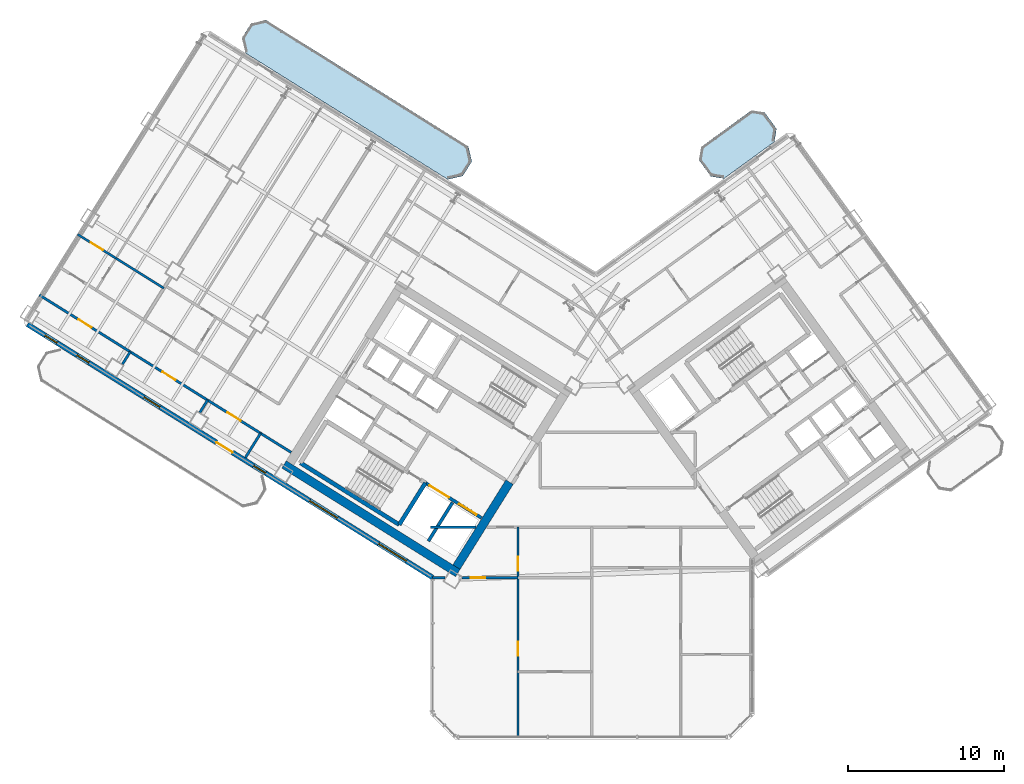
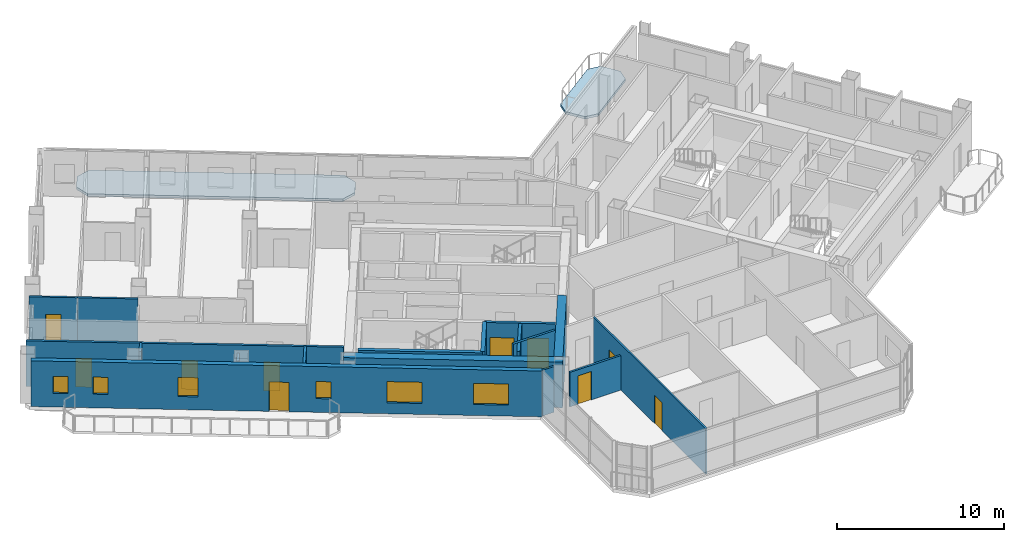
# One storey, part 11 of 21: 18 walls, 10 doors, 6 windows, 2 slabs, 16 openings.
"""IFC4 building model written with IfcOpenShell, lengths in metres."""

import ifcopenshell
import ifcopenshell.guid

model = None  # the IFC model being written
_history = None  # IfcOwnerHistory: only IFC2X3 demands one
_inside = {}  # id of a spatial element -> (the spatial element, [elements in it])
_under = {}  # id of a project, library or spatial element -> (it, [spatial elements below it])
_declared = {}  # id of a project -> (the project, [libraries it declares])
_typed = {}  # id of a type object -> (the type object, [elements of that type])
_made_of = {}  # id of a material, layer set ... -> (it, [elements and type objects made of it])


def new_model(schema):
    """Start an empty IFC model of exactly this schema.

    Asked for "IFC4X3", IfcOpenShell would pick the latest addendum, in which some entities
    have other attributes; the version numbers below select the first issue.
    IFC2X3 requires an IfcOwnerHistory on every rooted entity: one is made here for all.
    """
    global model, _history
    if schema == "IFC4X3":
        model = ifcopenshell.file(schema_version=(4, 3, 0, 0))
    else:
        model = ifcopenshell.file(schema=schema)
    _inside.clear()
    _under.clear()
    _declared.clear()
    _typed.clear()
    _made_of.clear()
    _history = None
    if model.schema == "IFC2X3":
        org = make("IfcOrganization", Name="unknown")
        user = make(
            "IfcPersonAndOrganization",
            ThePerson=make("IfcPerson", FamilyName="unknown"),
            TheOrganization=org,
        )
        app = make(
            "IfcApplication",
            ApplicationDeveloper=org,
            Version="unknown",
            ApplicationFullName="unknown",
            ApplicationIdentifier="unknown",
        )
        _history = make(
            "IfcOwnerHistory",
            OwningUser=user,
            OwningApplication=app,
            ChangeAction="ADDED",
            CreationDate=0,
        )
    return model


def make(cls, **values):
    """One entity of the class cls with the attributes given. An attribute that is None is left unset."""
    return model.create_entity(
        cls, **{name: value for name, value in values.items() if value is not None}
    )


def rooted(cls, **values):
    """An entity with a GlobalId (a new one), such as an element, a storey or a relation."""
    return make(cls, GlobalId=ifcopenshell.guid.new(), OwnerHistory=_history, **values)


def si_unit(unit_type, name, prefix=None):
    """IfcSIUnit, for example si_unit("LENGTHUNIT", "METRE", prefix="MILLI")."""
    return make("IfcSIUnit", UnitType=unit_type, Prefix=prefix, Name=name)


def assignment(units):
    """IfcUnitAssignment: the units of a project."""
    return None if units is None else make("IfcUnitAssignment", Units=units)


def point(xyz):
    """IfcCartesianPoint."""
    return None if xyz is None else make("IfcCartesianPoint", Coordinates=xyz)


def direction(xyz):
    """IfcDirection."""
    return None if xyz is None else make("IfcDirection", DirectionRatios=xyz)


def frame(location, z_axis=None, x_axis=None):
    """IfcAxis2Placement3D, a coordinate frame: its origin and axes. An axis left out is left unset."""
    return make(
        "IfcAxis2Placement3D",
        Location=point(location),
        Axis=direction(z_axis),
        RefDirection=direction(x_axis),
    )


def frame_2d(location, x_axis=None):
    """IfcAxis2Placement2D, a coordinate frame in the plane: its origin and x axis."""
    return make(
        "IfcAxis2Placement2D", Location=point(location), RefDirection=direction(x_axis)
    )


def origin():
    """The frame at (0, 0, 0) with its axes left unset."""
    return frame((0.0, 0.0, 0.0))


def place(relative_to, where):
    """IfcLocalPlacement: puts the frame where relative to a parent placement (None: the world)."""
    return make(
        "IfcLocalPlacement", PlacementRelTo=relative_to, RelativePlacement=where
    )


def context(
    kind, dimensions, precision=None, world=None, true_north=None, identifier=None
):
    """IfcGeometricRepresentationContext, for example the 3D "Model" context."""
    return make(
        "IfcGeometricRepresentationContext",
        ContextIdentifier=identifier,
        ContextType=kind,
        CoordinateSpaceDimension=dimensions,
        Precision=precision,
        WorldCoordinateSystem=world,
        TrueNorth=true_north,
    )


def subcontext(parent, identifier, kind, view, scale=None):
    """IfcGeometricRepresentationSubContext, for example "Body" below "Model"."""
    return make(
        "IfcGeometricRepresentationSubContext",
        ContextIdentifier=identifier,
        ContextType=kind,
        ParentContext=parent,
        TargetScale=scale,
        TargetView=view,
    )


def project(units=None, contexts=None):
    """IfcProject with its units and contexts."""
    return rooted(
        "IfcProject",
        Name="project",
        RepresentationContexts=contexts,
        UnitsInContext=assignment(units),
    )


def spatial(cls, under=None, at=None, **own):
    """A site, building, storey or space (cls), placed at a placement, below another one or the project."""
    s = rooted(cls, ObjectPlacement=at, **own)
    if under is not None:
        _under.setdefault(under.id(), (under, []))[1].append(s)
    return s


def polyline(points):
    """IfcPolyline through the points."""
    return make("IfcPolyline", Points=[point(p) for p in points])


def profile(cls, at=None, kind="AREA", **sizes):
    """A parametric profile (cls). Its sizes go by their IFC names, for example OverallWidth=200.0."""
    return make(cls, ProfileType=kind, Position=at, **sizes)


def rectangle(**sizes):
    """IfcRectangleProfileDef."""
    return profile("IfcRectangleProfileDef", **sizes)


def outline(outer, holes=None, kind="AREA"):
    """IfcArbitraryClosedProfileDef: a profile drawn as a closed curve; with holes, ...WithVoids."""
    if holes is None:
        return make("IfcArbitraryClosedProfileDef", ProfileType=kind, OuterCurve=outer)
    return make(
        "IfcArbitraryProfileDefWithVoids",
        ProfileType=kind,
        OuterCurve=outer,
        InnerCurves=holes,
    )


def extrude(swept, where, along, depth):
    """IfcExtrudedAreaSolid: the profile swept, set in the frame where, extruded along a direction by depth."""
    return make(
        "IfcExtrudedAreaSolid",
        SweptArea=swept,
        Position=where,
        ExtrudedDirection=direction(along),
        Depth=depth,
    )


def shape(context_of_items, identifier, shape_type, items):
    """IfcShapeRepresentation: the items that make up one representation, for example the "Body"."""
    return make(
        "IfcShapeRepresentation",
        ContextOfItems=context_of_items,
        RepresentationIdentifier=identifier,
        RepresentationType=shape_type,
        Items=items,
    )


def source(mapping_origin, context_of_items, identifier, shape_type, items):
    """IfcRepresentationMap: a shape defined once, which mapped items show again and again."""
    return make(
        "IfcRepresentationMap",
        MappingOrigin=mapping_origin,
        MappedRepresentation=shape(context_of_items, identifier, shape_type, items),
    )


def transform(
    local_origin,
    x_axis=None,
    y_axis=None,
    z_axis=None,
    scale=None,
    scale2=None,
    scale3=None,
    uniform=True,
):
    """IfcCartesianTransformationOperator3D, or its non-uniform kind. x_axis, y_axis, z_axis: its Axis1, 2, 3."""
    if uniform:
        return make(
            "IfcCartesianTransformationOperator3D",
            Axis1=direction(x_axis),
            Axis2=direction(y_axis),
            LocalOrigin=point(local_origin),
            Scale=scale,
            Axis3=direction(z_axis),
        )
    return make(
        "IfcCartesianTransformationOperator3DnonUniform",
        Axis1=direction(x_axis),
        Axis2=direction(y_axis),
        LocalOrigin=point(local_origin),
        Scale=scale,
        Axis3=direction(z_axis),
        Scale2=scale2,
        Scale3=scale3,
    )


def mapped(mapping_source, mapping_target):
    """IfcMappedItem: shows the shape of a source again, moved by a transform."""
    return make(
        "IfcMappedItem", MappingSource=mapping_source, MappingTarget=mapping_target
    )


def material(Name=None, Category=None):
    """IfcMaterial."""
    return make("IfcMaterial", Name=Name, Category=Category)


def layer(
    of_material, thickness, ventilated=None, Name=None, Category=None, Priority=None
):
    """IfcMaterialLayer: one layer of a wall or slab, of a material (None: an air gap)."""
    return make(
        "IfcMaterialLayer",
        Material=of_material,
        LayerThickness=thickness,
        IsVentilated=ventilated,
        Name=Name,
        Category=Category,
        Priority=Priority,
    )


def layer_set(layers, Name=None):
    """IfcMaterialLayerSet."""
    return make("IfcMaterialLayerSet", MaterialLayers=layers, LayerSetName=Name)


def made_of(thing, what):
    """Note that an element or type object is made of a material, layer set ...; save() writes the relation."""
    if what is not None:
        _made_of.setdefault(what.id(), (what, []))[1].append(thing)
    return thing


def type_object(cls, material=None, **own):
    """A type object (cls), such as IfcWallType, which elements share."""
    return made_of(rooted(cls, **own), material)


def element(
    cls,
    number,
    at=None,
    inside=None,
    cuts=None,
    type_object=None,
    material=None,
    context=None,
    identifier="Body",
    shape_type=None,
    held_by="IfcProductDefinitionShape",
    body=None,
    shapes=None,
    **own,
):
    """One element of the class cls, such as IfcWall. Its Tag is "e" and its number.

    at: its placement. inside: the storey or other place that contains it. cuts: it is an
    opening in that element (IfcRelVoidsElement). A single representation is given by context,
    identifier, shape_type and body (its items); several are given by shapes. held_by: the class
    of the entity that holds the representations. save() writes the other relations.
    """
    e = rooted(cls, Tag="e%d" % number, ObjectPlacement=at, **own)
    if body is not None:
        shapes = [shape(context, identifier, shape_type, body)]
    if shapes is not None:
        e.Representation = make(held_by, Representations=shapes)
    if inside is not None:
        _inside.setdefault(inside.id(), (inside, []))[1].append(e)
    if cuts is not None:
        rooted(
            "IfcRelVoidsElement", RelatingBuildingElement=cuts, RelatedOpeningElement=e
        )
    if type_object is not None:
        _typed.setdefault(type_object.id(), (type_object, []))[1].append(e)
    return made_of(e, material)


def fill(opening, filler):
    """IfcRelFillsElement: the door or window that sits in an opening."""
    return rooted(
        "IfcRelFillsElement",
        RelatingOpeningElement=opening,
        RelatedBuildingElement=filler,
    )


def aggregate(whole, parts):
    """IfcRelAggregates: a whole, such as a stair, and the parts it consists of."""
    return rooted("IfcRelAggregates", RelatingObject=whole, RelatedObjects=parts)


def save(model, path):
    """Write the relations noted so far, then the file.

    IfcRelAggregates (storeys below a building ...), IfcRelContainedInSpatialStructure (elements
    in a storey), IfcRelDefinesByType, IfcRelAssociatesMaterial and IfcRelDeclares: one each for
    every whole, place, type object, material and project.
    """
    for whole, parts in _under.values():
        aggregate(whole, parts)
    for where, things in _inside.values():
        rooted(
            "IfcRelContainedInSpatialStructure",
            RelatedElements=things,
            RelatingStructure=where,
        )
    for kind, things in _typed.values():
        rooted("IfcRelDefinesByType", RelatedObjects=things, RelatingType=kind)
    for what, things in _made_of.values():
        rooted("IfcRelAssociatesMaterial", RelatedObjects=things, RelatingMaterial=what)
    for by, libraries in _declared.values():
        rooted("IfcRelDeclares", RelatingContext=by, RelatedDefinitions=libraries)
    model.write(path)


model = new_model("IFC4")

# Units and contexts
model_context = context("Model", 3, precision=1e-05, world=origin(), true_north=direction((0.0, 1.0)))
body_context = subcontext(model_context, "Body", "Model", "MODEL_VIEW")
ifc_project = project(units=[si_unit("LENGTHUNIT", "METRE"), si_unit("AREAUNIT", "SQUARE_METRE"), si_unit("VOLUMEUNIT", "CUBIC_METRE"), si_unit("PLANEANGLEUNIT", "RADIAN"), si_unit("MASSUNIT", "GRAM", prefix="KILO")], contexts=[model_context])

# Site, building, storey
site_placement = place(None, origin())
site = spatial("IfcSite", under=ifc_project, at=site_placement, CompositionType="ELEMENT")
building_placement = place(site_placement, origin())
building = spatial("IfcBuilding", under=site, at=building_placement, Name="Tlacorven Tower", CompositionType="ELEMENT")
storey_placement = place(building_placement, frame((0.0, 0.0, 105.300048828125)))
storey = spatial("IfcBuildingStorey", under=building, at=storey_placement, Name="L26", CompositionType="ELEMENT", Elevation=105.300048828125)

# Slabs
ifc_material_1 = material(Name="Precast concrete C45/55", Category="concrete")
ifc_layer_1 = layer(ifc_material_1, 0.179931640625)
ifc_layer_set_1 = layer_set([ifc_layer_1], Name="Precast concrete C45/55")
slab_type = type_object("IfcSlabType", Name="SL-BAL-180", PredefinedType="USERDEFINED", material=ifc_layer_set_1)
slab_1_placement = place(storey_placement, frame((0.0, 0.0, -0.179931640625)))
element("IfcSlab", 1, at=slab_1_placement, inside=storey, type_object=slab_type, Name="L26 West Wing Balcony Ribbon IN", ObjectType="BALCONY SLAB", PredefinedType="USERDEFINED", context=body_context, shape_type="SweptSolid", body=[
    extrude(outline(polyline([(34.0419921875, 39.835693359375), (21.06689453125, 47.943359375), (20.102294921875, 47.720703125), (19.52197265625, 46.7919921875), (19.744873046875, 45.827392578125), (32.719970703125, 37.7197265625), (33.6845703125, 37.9423828125), (34.2646484375, 38.87109375), (34.0419921875, 39.835693359375)])), origin(), (0.0, 0.0, 1.0), 0.179931640625),
])
slab_2_placement = place(storey_placement, frame((0.0, 0.0, -0.179931640625)))
element("IfcSlab", 2, at=slab_2_placement, inside=storey, type_object=slab_type, Name="L26 East Wing Balcony Ribbon IN", ObjectType="BALCONY SLAB", PredefinedType="USERDEFINED", context=body_context, shape_type="SweptSolid", body=[
    extrude(outline(polyline([(50.433837890625, 37.77880859375), (53.669921875, 40.1298828125), (53.802490234375, 40.968017578125), (53.04150390625, 42.015625), (52.203369140625, 42.1484375), (48.96728515625, 39.79736328125), (48.83447265625, 38.959228515625), (49.595703125, 37.91162109375), (50.433837890625, 37.77880859375)])), origin(), (0.0, 0.0, 1.0), 0.179931640625),
])

# Walls
ifc_material_2 = material(Name="Concrete C60/75", Category="concrete")
ifc_layer_2 = layer(ifc_material_2, 0.550048828125)
ifc_layer_set_2 = layer_set([ifc_layer_2], Name="Concrete C60/75")
wall_type_1 = type_object("IfcWallType", Name="WL-COR-550", PredefinedType="SHEAR", material=ifc_layer_set_2)
wall_1_placement = place(storey_placement, frame((33.3662109375, 12.4765625, 0.0), z_axis=(0.0, 0.0, 1.0), x_axis=(-0.848047359947, 0.529920442413, 0.0)))
element("IfcWall", 3, at=wall_1_placement, inside=storey, type_object=wall_type_1, Name="L26 W core shear wall S2", PredefinedType="SHEAR", context=body_context, shape_type="SweptSolid", body=[
    extrude(rectangle(XDim=13.139892578125, YDim=0.550048828125, at=frame_2d((6.56982421875, 0.0))), origin(), (0.0, 0.0, 1.0), 3.349853515625),
])
wall_2_placement = place(storey_placement, frame((36.683349609375, 18.30419921875, 0.0), z_axis=(0.0, 0.0, 1.0), x_axis=(-0.529896466841, -0.848062341122, 0.0)))
element("IfcWall", 4, at=wall_2_placement, inside=storey, type_object=wall_type_1, Name="L26 W core end wall E1.2", PredefinedType="SHEAR", context=body_context, shape_type="SweptSolid", body=[
    extrude(rectangle(XDim=6.4248046875, YDim=0.550048828125, at=frame_2d((3.21240234375, 0.0))), origin(), (0.0, 0.0, 1.0), 3.349853515625),
])
ifc_material_3 = material(Name="Gypsum plasterboard acoustic partition", Category="gypsum")
ifc_layer_3 = layer(ifc_material_3, 0.159912109375)
ifc_layer_set_3 = layer_set([ifc_layer_3], Name="Gypsum plasterboard acoustic partition")
wall_type_2 = type_object("IfcWallType", Name="WL-DEM-160", PredefinedType="PARTITIONING", material=ifc_layer_set_3)
wall_3_placement = place(storey_placement, frame((22.677001953125, 20.217041015625, 0.0), z_axis=(0.0, 0.0, 1.0), x_axis=(-0.848057719594, 0.529903863203, 0.0)))
element("IfcWall", 5, at=wall_3_placement, inside=storey, type_object=wall_type_2, Name="L26 partition 51", PredefinedType="PARTITIONING", context=body_context, shape_type="SweptSolid", body=[
    extrude(rectangle(XDim=2.308349609375, YDim=0.159912109375, at=frame_2d((1.154296875, 0.0))), origin(), (0.0, 0.0, 1.0), 3.33984375),
])
wall_4_placement = place(storey_placement, frame((20.719482421875, 21.440185546875, 0.0), z_axis=(0.0, 0.0, 1.0), x_axis=(-0.529880305451, -0.848072439061, 0.0)))
element("IfcWall", 6, at=wall_4_placement, inside=storey, type_object=wall_type_2, Name="L26 partition 53", PredefinedType="PARTITIONING", context=body_context, shape_type="SweptSolid", body=[
    extrude(rectangle(XDim=1.849853515625, YDim=0.159912109375, at=frame_2d((0.9248046875, 0.0))), origin(), (0.0, 0.0, 1.0), 3.33984375),
])

# Wall, openings, doors
wall_5_placement = place(storey_placement, frame((20.719482421875, 21.440185546875, 0.0), z_axis=(0.0, 0.0, 1.0), x_axis=(-0.848048310262, 0.529918921593, 0.0)))
wall_5 = element("IfcWall", 7, at=wall_5_placement, inside=storey, type_object=wall_type_2, Name="L26 Wing W Corridor North Wall", PredefinedType="PARTITIONING", context=body_context, shape_type="SweptSolid", body=[
    extrude(rectangle(XDim=16.72998046875, YDim=0.159912109375, at=frame_2d((8.364990234375, 0.0))), origin(), (0.0, 0.0, 1.0), 3.33984375),
])
opening_1_placement = place(wall_5_placement, frame((1.5048828125, 0.0, 0.0)))
opening_1 = element("IfcOpeningElement", 8, at=opening_1_placement, cuts=wall_5, Name="Opening D11", PredefinedType="OPENING", context=body_context, shape_type="SweptSolid", body=[
    extrude(rectangle(XDim=1.0, YDim=2.10009765625, at=frame_2d((0.5, 1.050048828125))), frame((0.0, 0.08984375, 0.0), z_axis=(0.0, -1.0, 0.0), x_axis=(1.0, 0.0, 0.0)), (0.0, 0.0, 1.0), 0.179931640625),
])
opening_2_placement = place(wall_5_placement, frame((6.4345703125, 0.0, 0.0)))
opening_2 = element("IfcOpeningElement", 9, at=opening_2_placement, cuts=wall_5, Name="Opening D11", PredefinedType="OPENING", context=body_context, shape_type="SweptSolid", body=[
    extrude(rectangle(XDim=1.0, YDim=2.10009765625, at=frame_2d((0.5, 1.050048828125))), frame((0.0, 0.08984375, 0.0), z_axis=(0.0, -1.0, 0.0), x_axis=(1.0, 0.0, 0.0)), (0.0, 0.0, 1.0), 0.179931640625),
])
opening_3_placement = place(wall_5_placement, frame((12.784423828125, 0.0, 0.0)))
opening_3 = element("IfcOpeningElement", 10, at=opening_3_placement, cuts=wall_5, Name="Opening D11", PredefinedType="OPENING", context=body_context, shape_type="SweptSolid", body=[
    extrude(rectangle(XDim=1.0, YDim=2.10009765625, at=frame_2d((0.5, 1.050048828125))), frame((0.0, 0.08984375, 0.0), z_axis=(0.0, -1.0, 0.0), x_axis=(1.0, 0.0, 0.0)), (0.0, 0.0, 1.0), 0.179931640625),
])
ifc_material_4 = material(Name="Fire-rated steel door assembly", Category="steel")
door_type_1 = type_object("IfcDoorType", Name="DR-FLT-FD60-1000", OperationType="NOTDEFINED", PredefinedType="DOOR", material=ifc_material_4)
shared_shape_1 = source(origin(), body_context, "Body", "SweptSolid", [
    extrude(rectangle(XDim=1.0, YDim=2.10009765625, at=frame_2d((0.5, 1.050048828125))), frame((0.0, 0.02490234375, 0.0), z_axis=(0.0, -1.0, 0.0), x_axis=(1.0, 0.0, 0.0)), (0.0, 0.0, 1.0), 0.050048828125),
])
door_1_placement = place(opening_1_placement, origin())
door_1 = element("IfcDoor", 11, at=door_1_placement, inside=storey, type_object=door_type_1, Name="L26 door 024", OperationType="SINGLE_SWING_LEFT", OverallHeight=2.10009765625, OverallWidth=1.0, PredefinedType="DOOR", context=body_context, shape_type="MappedRepresentation", body=[
    mapped(shared_shape_1, transform((0.0, 0.0, 0.0), scale=1.0)),
])
fill(opening_1, door_1)
door_2_placement = place(opening_2_placement, origin())
door_2 = element("IfcDoor", 12, at=door_2_placement, inside=storey, type_object=door_type_1, Name="L26 door 025", OperationType="SINGLE_SWING_RIGHT", OverallHeight=2.10009765625, OverallWidth=1.0, PredefinedType="DOOR", context=body_context, shape_type="MappedRepresentation", body=[
    mapped(shared_shape_1, transform((0.0, 0.0, 0.0), scale=1.0)),
])
fill(opening_2, door_2)
door_3_placement = place(opening_3_placement, origin())
door_3 = element("IfcDoor", 13, at=door_3_placement, inside=storey, type_object=door_type_1, Name="L26 door 026", OperationType="SINGLE_SWING_LEFT", OverallHeight=2.10009765625, OverallWidth=1.0, PredefinedType="DOOR", context=body_context, shape_type="MappedRepresentation", body=[
    mapped(shared_shape_1, transform((0.0, 0.0, 0.0), scale=1.0)),
])
fill(opening_3, door_3)

# Walls
wall_6_placement = place(storey_placement, frame((17.31884765625, 23.565185546875, 0.0), z_axis=(0.0, 0.0, 1.0), x_axis=(-0.529952145338, -0.848027548876, 0.0)))
element("IfcWall", 14, at=wall_6_placement, inside=storey, type_object=wall_type_2, Name="L26 partition 56", PredefinedType="PARTITIONING", context=body_context, shape_type="SweptSolid", body=[
    extrude(rectangle(XDim=0.93798828125, YDim=0.159912109375, at=frame_2d((0.468994140625, 0.0))), origin(), (0.0, 0.0, 1.0), 2.77490234375),
])
wall_7_placement = place(storey_placement, frame((12.358642578125, 26.664794921875, 0.0), z_axis=(0.0, 0.0, 1.0), x_axis=(-0.529835187763, -0.848100627171, 0.0)))
element("IfcWall", 15, at=wall_7_placement, inside=storey, type_object=wall_type_2, Name="L26 partition 57", PredefinedType="PARTITIONING", context=body_context, shape_type="SweptSolid", body=[
    extrude(rectangle(XDim=0.938232421875, YDim=0.159912109375, at=frame_2d((0.46923828125, 0.0))), origin(), (0.0, 0.0, 1.0), 3.33984375),
])
wall_8_placement = place(storey_placement, frame((31.60009765625, 15.419921875, 0.0), z_axis=(0.0, 0.0, 1.0), x_axis=(1.0, 0.0, 0.0)))
element("IfcWall", 16, at=wall_8_placement, inside=storey, type_object=wall_type_2, Name="L26 Knuckle Corridor South Wall", PredefinedType="PARTITIONING", context=body_context, shape_type="SweptSolid", body=[
    extrude(rectangle(XDim=2.925048828125, YDim=0.159912109375, at=frame_2d((1.46240234375, 0.0))), origin(), (0.0, 0.0, 1.0), 3.33984375),
])

# Wall, openings, door, windows
ifc_layer_4 = layer(ifc_material_1, 0.320068359375)
ifc_layer_set_4 = layer_set([ifc_layer_4], Name="Precast concrete C45/55")
wall_type_3 = type_object("IfcWallType", Name="WL-EXT-320", PredefinedType="STANDARD", material=ifc_layer_set_4)
wall_9_placement = place(storey_placement, frame((31.760009765625, 12.18310546875, 0.0), z_axis=(0.0, 0.0, 1.0), x_axis=(-0.848047074256, 0.529920899612, 0.0)))
wall_9 = element("IfcWall", 17, at=wall_9_placement, inside=storey, type_object=wall_type_3, Name="L26 Masonry-Frame Recessed Facade Wall 1", PredefinedType="STANDARD", context=body_context, shape_type="SweptSolid", body=[
    extrude(rectangle(XDim=30.652099609375, YDim=0.320068359375, at=frame_2d((15.326171875, 0.0))), origin(), (0.0, 0.0, 1.0), 3.349853515625),
])
opening_4_placement = place(wall_9_placement, frame((15.1533203125, 0.0, 0.0)))
opening_4 = element("IfcOpeningElement", 18, at=opening_4_placement, cuts=wall_9, Name="Opening D05", PredefinedType="OPENING", context=body_context, shape_type="SweptSolid", body=[
    extrude(rectangle(XDim=1.199951171875, YDim=2.14990234375, at=frame_2d((0.60009765625, 1.074951171875))), frame((0.0, 0.169921875, 0.0), z_axis=(0.0, -1.0, 0.0), x_axis=(1.0, 0.0, 0.0)), (0.0, 0.0, 1.0), 0.340087890625),
])
opening_5_placement = place(wall_9_placement, frame((2.002197265625, 0.0, 0.800048828125)))
opening_5 = element("IfcOpeningElement", 19, at=opening_5_placement, cuts=wall_9, Name="Opening WN04", PredefinedType="OPENING", context=body_context, shape_type="SweptSolid", body=[
    extrude(rectangle(XDim=2.10009765625, YDim=1.550048828125, at=frame_2d((1.050048828125, 0.77490234375))), frame((0.0, 0.169921875, 0.0), z_axis=(0.0, -1.0, 0.0), x_axis=(1.0, 0.0, 0.0)), (0.0, 0.0, 1.0), 0.340087890625),
])
opening_6_placement = place(wall_9_placement, frame((7.206298828125, 0.0, 0.800048828125)))
opening_6 = element("IfcOpeningElement", 20, at=opening_6_placement, cuts=wall_9, Name="Opening WN04", PredefinedType="OPENING", context=body_context, shape_type="SweptSolid", body=[
    extrude(rectangle(XDim=2.10009765625, YDim=1.550048828125, at=frame_2d((1.050048828125, 0.77490234375))), frame((0.0, 0.169921875, 0.0), z_axis=(0.0, -1.0, 0.0), x_axis=(1.0, 0.0, 0.0)), (0.0, 0.0, 1.0), 0.340087890625),
])
opening_7_placement = place(wall_9_placement, frame((12.648193359375, 0.0, 1.0)))
opening_7 = element("IfcOpeningElement", 21, at=opening_7_placement, cuts=wall_9, Name="Opening WN05", PredefinedType="OPENING", context=body_context, shape_type="SweptSolid", body=[
    extrude(rectangle(XDim=0.89990234375, YDim=1.25, at=frame_2d((0.449951171875, 0.625))), frame((0.0, 0.169921875, 0.0), z_axis=(0.0, -1.0, 0.0), x_axis=(1.0, 0.0, 0.0)), (0.0, 0.0, 1.0), 0.340087890625),
])
opening_8_placement = place(wall_9_placement, frame((20.627685546875, 0.0, 0.949951171875)))
opening_8 = element("IfcOpeningElement", 22, at=opening_8_placement, cuts=wall_9, Name="Opening WN03", PredefinedType="OPENING", context=body_context, shape_type="SweptSolid", body=[
    extrude(rectangle(XDim=1.199951171875, YDim=1.39990234375, at=frame_2d((0.60009765625, 0.699951171875))), frame((0.0, 0.169921875, 0.0), z_axis=(0.0, -1.0, 0.0), x_axis=(1.0, 0.0, 0.0)), (0.0, 0.0, 1.0), 0.340087890625),
])
opening_9_placement = place(wall_9_placement, frame((26.00830078125, 0.0, 1.0)))
opening_9 = element("IfcOpeningElement", 23, at=opening_9_placement, cuts=wall_9, Name="Opening WN05", PredefinedType="OPENING", context=body_context, shape_type="SweptSolid", body=[
    extrude(rectangle(XDim=0.89990234375, YDim=1.25, at=frame_2d((0.449951171875, 0.625))), frame((0.0, 0.169921875, 0.0), z_axis=(0.0, -1.0, 0.0), x_axis=(1.0, 0.0, 0.0)), (0.0, 0.0, 1.0), 0.340087890625),
])
opening_10_placement = place(wall_9_placement, frame((28.408203125, 0.0, 1.0)))
opening_10 = element("IfcOpeningElement", 24, at=opening_10_placement, cuts=wall_9, Name="Opening WN05", PredefinedType="OPENING", context=body_context, shape_type="SweptSolid", body=[
    extrude(rectangle(XDim=0.89990234375, YDim=1.25, at=frame_2d((0.449951171875, 0.625))), frame((0.0, 0.169921875, 0.0), z_axis=(0.0, -1.0, 0.0), x_axis=(1.0, 0.0, 0.0)), (0.0, 0.0, 1.0), 0.340087890625),
])
ifc_material_5 = material(Name="Powder-coated aluminium and timber door", Category="wood")
door_type_2 = type_object("IfcDoorType", Name="DR-EXT-BALC-1200", OperationType="NOTDEFINED", PredefinedType="DOOR", material=ifc_material_5)
shared_shape_2 = source(origin(), body_context, "Body", "SweptSolid", [
    extrude(rectangle(XDim=1.199951171875, YDim=2.14990234375, at=frame_2d((0.60009765625, 1.074951171875))), frame((0.0, 0.02490234375, 0.0), z_axis=(0.0, -1.0, 0.0), x_axis=(1.0, 0.0, 0.0)), (0.0, 0.0, 1.0), 0.050048828125),
])
door_4_placement = place(opening_4_placement, origin())
door_4 = element("IfcDoor", 25, at=door_4_placement, inside=storey, type_object=door_type_2, Name="L26 Outdoor Access Door BAL-L26-W-OUT", OperationType="SINGLE_SWING_LEFT", OverallHeight=2.14990234375, OverallWidth=1.199951171875, PredefinedType="DOOR", context=body_context, shape_type="MappedRepresentation", body=[
    mapped(shared_shape_2, transform((0.0, 0.0, 0.0), scale=1.0)),
])
fill(opening_4, door_4)
ifc_material_6 = material(Name="Dark solar low-E double glazing in anodised aluminium frame", Category="aluminium")
window_type_1 = type_object("IfcWindowType", Name="WN-APT-2100X1750", PartitioningType="SINGLE_PANEL", PredefinedType="WINDOW", material=ifc_material_6)
shared_shape_3 = source(origin(), body_context, "Body", "SweptSolid", [
    extrude(rectangle(XDim=2.10009765625, YDim=1.550048828125, at=frame_2d((1.050048828125, 0.77490234375))), frame((0.0, 0.030029296875, 0.0), z_axis=(0.0, -1.0, 0.0), x_axis=(1.0, 0.0, 0.0)), (0.0, 0.0, 1.0), 0.06005859375),
])
window_1_placement = place(opening_5_placement, origin())
window_1 = element("IfcWindow", 26, at=window_1_placement, inside=storey, type_object=window_type_1, Name="L26 Recessed Masonry-Frame Window L26-01.1", OverallHeight=1.550048828125, OverallWidth=2.10009765625, PartitioningType="SINGLE_PANEL", PredefinedType="WINDOW", context=body_context, shape_type="MappedRepresentation", body=[
    mapped(shared_shape_3, transform((0.0, 0.0, 0.0), scale=1.0)),
])
fill(opening_5, window_1)
window_2_placement = place(opening_6_placement, origin())
window_2 = element("IfcWindow", 27, at=window_2_placement, inside=storey, type_object=window_type_1, Name="L26 Recessed Masonry-Frame Window L26-01.2", OverallHeight=1.550048828125, OverallWidth=2.10009765625, PartitioningType="SINGLE_PANEL", PredefinedType="WINDOW", context=body_context, shape_type="MappedRepresentation", body=[
    mapped(shared_shape_3, transform((0.0, 0.0, 0.0), scale=1.0)),
])
fill(opening_6, window_2)
window_type_2 = type_object("IfcWindowType", Name="WN-APT-1200X1500", PartitioningType="SINGLE_PANEL", PredefinedType="WINDOW", material=ifc_material_6)
shared_shape_4 = source(origin(), body_context, "Body", "SweptSolid", [
    extrude(rectangle(XDim=1.199951171875, YDim=1.39990234375, at=frame_2d((0.60009765625, 0.699951171875))), frame((0.0, 0.030029296875, 0.0), z_axis=(0.0, -1.0, 0.0), x_axis=(1.0, 0.0, 0.0)), (0.0, 0.0, 1.0), 0.06005859375),
])
window_3_placement = place(opening_8_placement, origin())
window_3 = element("IfcWindow", 28, at=window_3_placement, inside=storey, type_object=window_type_2, Name="L26 Recessed Masonry-Frame Window L26-01.4", OverallHeight=1.39990234375, OverallWidth=1.199951171875, PartitioningType="SINGLE_PANEL", PredefinedType="WINDOW", context=body_context, shape_type="MappedRepresentation", body=[
    mapped(shared_shape_4, transform((0.0, 0.0, 0.0), scale=1.0)),
])
fill(opening_8, window_3)
window_type_3 = type_object("IfcWindowType", Name="WN-APT-0900X1350", PartitioningType="SINGLE_PANEL", PredefinedType="WINDOW", material=ifc_material_6)
shared_shape_5 = source(origin(), body_context, "Body", "SweptSolid", [
    extrude(rectangle(XDim=0.89990234375, YDim=1.25, at=frame_2d((0.449951171875, 0.625))), frame((0.0, 0.030029296875, 0.0), z_axis=(0.0, -1.0, 0.0), x_axis=(1.0, 0.0, 0.0)), (0.0, 0.0, 1.0), 0.06005859375),
])
window_4_placement = place(opening_7_placement, origin())
window_4 = element("IfcWindow", 29, at=window_4_placement, inside=storey, type_object=window_type_3, Name="L26 Recessed Masonry-Frame Window L26-01.3", OverallHeight=1.25, OverallWidth=0.89990234375, PartitioningType="SINGLE_PANEL", PredefinedType="WINDOW", context=body_context, shape_type="MappedRepresentation", body=[
    mapped(shared_shape_5, transform((0.0, 0.0, 0.0), scale=1.0)),
])
fill(opening_7, window_4)
window_5_placement = place(opening_9_placement, origin())
window_5 = element("IfcWindow", 30, at=window_5_placement, inside=storey, type_object=window_type_3, Name="L26 Recessed Masonry-Frame Window L26-01.5", OverallHeight=1.25, OverallWidth=0.89990234375, PartitioningType="SINGLE_PANEL", PredefinedType="WINDOW", context=body_context, shape_type="MappedRepresentation", body=[
    mapped(shared_shape_5, transform((0.0, 0.0, 0.0), scale=1.0)),
])
fill(opening_9, window_5)
window_6_placement = place(opening_10_placement, origin())
window_6 = element("IfcWindow", 31, at=window_6_placement, inside=storey, type_object=window_type_3, Name="L26 Recessed Masonry-Frame Window L26-01.6", OverallHeight=1.25, OverallWidth=0.89990234375, PartitioningType="SINGLE_PANEL", PredefinedType="WINDOW", context=body_context, shape_type="MappedRepresentation", body=[
    mapped(shared_shape_5, transform((0.0, 0.0, 0.0), scale=1.0)),
])
fill(opening_10, window_6)

# Wall, openings, doors
ifc_material_7 = material(Name="Gypsum plasterboard partition", Category="gypsum")
ifc_layer_5 = layer(ifc_material_7, 0.110107421875)
ifc_layer_set_5 = layer_set([ifc_layer_5], Name="Gypsum plasterboard partition")
wall_type_4 = type_object("IfcWallType", Name="WL-INT-110", PredefinedType="PARTITIONING", material=ifc_layer_set_5)
wall_10_placement = place(storey_placement, frame((37.221923828125, 1.9599609375, 0.0), z_axis=(0.0, 0.0, 1.0), x_axis=(0.0, 1.0, 0.0)))
wall_10 = element("IfcWall", 32, at=wall_10_placement, inside=storey, type_object=wall_type_4, Name="L26 partition 81", PredefinedType="PARTITIONING", context=body_context, shape_type="SweptSolid", body=[
    extrude(rectangle(XDim=13.4599609375, YDim=0.110107421875, at=frame_2d((6.72998046875, 0.0))), origin(), (0.0, 0.0, 1.0), 3.33984375),
])
opening_11_placement = place(wall_10_placement, frame((5.199951171875, 0.0, 0.0)))
opening_11 = element("IfcOpeningElement", 33, at=opening_11_placement, cuts=wall_10, Name="Opening D12", PredefinedType="OPENING", context=body_context, shape_type="SweptSolid", body=[
    extrude(rectangle(XDim=0.919921875, YDim=2.080078125, at=frame_2d((0.4599609375, 1.0400390625))), frame((0.0, 0.06494140625, 0.0), z_axis=(0.0, -1.0, 0.0), x_axis=(1.0, 0.0, 0.0)), (0.0, 0.0, 1.0), 0.130126953125),
])
opening_12_placement = place(wall_10_placement, frame((10.669921875, 0.0, 0.0)))
opening_12 = element("IfcOpeningElement", 34, at=opening_12_placement, cuts=wall_10, Name="Opening D13", PredefinedType="OPENING", context=body_context, shape_type="SweptSolid", body=[
    extrude(rectangle(XDim=0.8798828125, YDim=2.080078125, at=frame_2d((0.43994140625, 1.0400390625))), frame((0.0, 0.06494140625, 0.0), z_axis=(0.0, -1.0, 0.0), x_axis=(1.0, 0.0, 0.0)), (0.0, 0.0, 1.0), 0.130126953125),
])
door_type_3 = type_object("IfcDoorType", Name="DR-INT-WET-0880", OperationType="NOTDEFINED", PredefinedType="DOOR", material=ifc_material_5)
shared_shape_6 = source(origin(), body_context, "Body", "SweptSolid", [
    extrude(rectangle(XDim=0.8798828125, YDim=2.080078125, at=frame_2d((0.43994140625, 1.0400390625))), frame((0.0, 0.02490234375, 0.0), z_axis=(0.0, -1.0, 0.0), x_axis=(1.0, 0.0, 0.0)), (0.0, 0.0, 1.0), 0.050048828125),
])
door_5_placement = place(opening_12_placement, origin())
door_5 = element("IfcDoor", 35, at=door_5_placement, inside=storey, type_object=door_type_3, Name="L26 door 049", OperationType="SINGLE_SWING_RIGHT", OverallHeight=2.080078125, OverallWidth=0.8798828125, PredefinedType="DOOR", context=body_context, shape_type="MappedRepresentation", body=[
    mapped(shared_shape_6, transform((0.0, 0.0, 0.0), scale=1.0)),
])
fill(opening_12, door_5)
door_type_4 = type_object("IfcDoorType", Name="DR-INT-ROOM-0920", OperationType="NOTDEFINED", PredefinedType="DOOR", material=ifc_material_5)
shared_shape_7 = source(origin(), body_context, "Body", "SweptSolid", [
    extrude(rectangle(XDim=0.919921875, YDim=2.080078125, at=frame_2d((0.4599609375, 1.0400390625))), frame((0.0, 0.02490234375, 0.0), z_axis=(0.0, -1.0, 0.0), x_axis=(1.0, 0.0, 0.0)), (0.0, 0.0, 1.0), 0.050048828125),
])
door_6_placement = place(opening_11_placement, origin())
door_6 = element("IfcDoor", 36, at=door_6_placement, inside=storey, type_object=door_type_4, Name="L26 door 045", OperationType="SINGLE_SWING_RIGHT", OverallHeight=2.080078125, OverallWidth=0.919921875, PredefinedType="DOOR", context=body_context, shape_type="MappedRepresentation", body=[
    mapped(shared_shape_7, transform((0.0, 0.0, 0.0), scale=1.0)),
])
fill(opening_11, door_6)

# Wall, opening, door
ifc_material_8 = material(Name="Moisture-resistant gypsum plumbing wall", Category="gypsum")
ifc_layer_6 = layer(ifc_material_8, 0.139892578125)
ifc_layer_set_6 = layer_set([ifc_layer_6], Name="Moisture-resistant gypsum plumbing wall")
wall_type_5 = type_object("IfcWallType", Name="WL-PLM-140", PredefinedType="PLUMBINGWALL", material=ifc_layer_set_6)
wall_11_placement = place(storey_placement, frame((11.44580078125, 32.659423828125, 0.0), z_axis=(0.0, 0.0, 1.0), x_axis=(-0.848045593671, 0.529923269025, 0.0)))
wall_11 = element("IfcWall", 37, at=wall_11_placement, inside=storey, type_object=wall_type_5, Name="L26 partition 66", PredefinedType="PLUMBINGWALL", context=body_context, shape_type="SweptSolid", body=[
    extrude(rectangle(XDim=2.900146484375, YDim=0.139892578125, at=frame_2d((1.4501953125, 0.0))), origin(), (0.0, 0.0, 1.0), 3.33984375),
])
opening_13_placement = place(wall_11_placement, frame((0.989990234375, 0.0, 0.0)))
opening_13 = element("IfcOpeningElement", 38, at=opening_13_placement, cuts=wall_11, Name="Opening D12", PredefinedType="OPENING", context=body_context, shape_type="SweptSolid", body=[
    extrude(rectangle(XDim=0.919921875, YDim=2.080078125, at=frame_2d((0.4599609375, 1.0400390625))), frame((0.0, 0.080078125, 0.0), z_axis=(0.0, -1.0, 0.0), x_axis=(1.0, 0.0, 0.0)), (0.0, 0.0, 1.0), 0.159912109375),
])
door_7_placement = place(opening_13_placement, origin())
door_7 = element("IfcDoor", 39, at=door_7_placement, inside=storey, type_object=door_type_4, Name="L26 door 035", OperationType="SINGLE_SWING_RIGHT", OverallHeight=2.080078125, OverallWidth=0.919921875, PredefinedType="DOOR", context=body_context, shape_type="MappedRepresentation", body=[
    mapped(shared_shape_7, transform((0.0, 0.0, 0.0), scale=1.0)),
])
fill(opening_13, door_7)

# Walls
wall_12_placement = place(storey_placement, frame((14.515625, 30.7412109375, 0.0), z_axis=(0.0, 0.0, 1.0), x_axis=(-0.848051346257, 0.52991406295, 0.0)))
element("IfcWall", 40, at=wall_12_placement, inside=storey, type_object=wall_type_5, Name="L26 partition 67", PredefinedType="PLUMBINGWALL", context=body_context, shape_type="SweptSolid", body=[
    extrude(rectangle(XDim=3.619873046875, YDim=0.139892578125, at=frame_2d((1.81005859375, 0.0))), origin(), (0.0, 0.0, 1.0), 3.33984375),
])
wall_13_placement = place(storey_placement, frame((31.739990234375, 12.169921875, 0.0), z_axis=(0.0, 0.0, 1.0), x_axis=(1.0, 0.0, 0.0)))
element("IfcWall", 41, at=wall_13_placement, inside=storey, type_object=wall_type_5, Name="L26 partition 82", PredefinedType="PLUMBINGWALL", context=body_context, shape_type="SweptSolid", body=[
    extrude(rectangle(XDim=0.813232421875, YDim=0.139892578125, at=frame_2d((0.40673828125, 0.0))), origin(), (0.0, 0.0, 1.0), 3.33984375),
])

# Wall, opening, door
wall_14_placement = place(storey_placement, frame((33.642822265625, 12.169921875, 0.0), z_axis=(0.0, 0.0, 1.0), x_axis=(1.0, 0.0, 0.0)))
wall_14 = element("IfcWall", 42, at=wall_14_placement, inside=storey, type_object=wall_type_5, Name="L26 partition 82", PredefinedType="PLUMBINGWALL", context=body_context, shape_type="SweptSolid", body=[
    extrude(rectangle(XDim=3.5791015625, YDim=0.139892578125, at=frame_2d((1.78955078125, 0.0))), origin(), (0.0, 0.0, 1.0), 2.52490234375),
])
opening_14_placement = place(wall_14_placement, frame((0.55810546875, 0.0, 0.0)))
opening_14 = element("IfcOpeningElement", 43, at=opening_14_placement, cuts=wall_14, Name="Opening D12", PredefinedType="OPENING", context=body_context, shape_type="SweptSolid", body=[
    extrude(rectangle(XDim=0.919921875, YDim=2.080078125, at=frame_2d((0.4599609375, 1.0400390625))), frame((0.0, 0.080078125, 0.0), z_axis=(0.0, -1.0, 0.0), x_axis=(1.0, 0.0, 0.0)), (0.0, 0.0, 1.0), 0.159912109375),
])
door_8_placement = place(opening_14_placement, frame((0.919921875, 0.0, 0.0), z_axis=(0.0, 0.0, 1.0), x_axis=(-1.0, 0.0, 0.0)))
door_8 = element("IfcDoor", 44, at=door_8_placement, inside=storey, type_object=door_type_4, Name="L26 door 048", OperationType="SINGLE_SWING_RIGHT", OverallHeight=2.080078125, OverallWidth=0.919921875, PredefinedType="DOOR", context=body_context, shape_type="MappedRepresentation", body=[
    mapped(shared_shape_7, transform((0.0, 0.0, 0.0), scale=1.0)),
])
fill(opening_14, door_8)

# Wall, openings, doors
ifc_material_9 = material(Name="Concrete C40/50", Category="concrete")
ifc_layer_7 = layer(ifc_material_9, 0.199951171875)
ifc_layer_set_7 = layer_set([ifc_layer_7], Name="Concrete C40/50")
wall_type_6 = type_object("IfcWallType", Name="WL-SHF-200", PredefinedType="STANDARD", material=ifc_layer_set_7)
wall_15_placement = place(storey_placement, frame((34.890625, 16.0048828125, 0.0), z_axis=(0.0, 0.0, 1.0), x_axis=(-0.848062873452, 0.529895614884, 0.0)))
wall_15 = element("IfcWall", 45, at=wall_15_placement, inside=storey, type_object=wall_type_6, Name="L26 Core W Firefighting Lift Shaft Front Wall", PredefinedType="STANDARD", context=body_context, shape_type="SweptSolid", body=[
    extrude(rectangle(XDim=4.248046875, YDim=0.199951171875, at=frame_2d((2.1240234375, 0.0))), origin(), (0.0, 0.0, 1.0), 3.33984375),
])
opening_15_placement = place(wall_15_placement, frame((0.39794921875, 0.0, 0.0)))
opening_15 = element("IfcOpeningElement", 46, at=opening_15_placement, cuts=wall_15, Name="Opening LD03", PredefinedType="OPENING", context=body_context, shape_type="SweptSolid", body=[
    extrude(rectangle(XDim=1.300048828125, YDim=2.199951171875, at=frame_2d((0.64990234375, 1.10009765625))), frame((0.0, 0.10986328125, 0.0), z_axis=(0.0, -1.0, 0.0), x_axis=(1.0, 0.0, 0.0)), (0.0, 0.0, 1.0), 0.219970703125),
])
opening_16_placement = place(wall_15_placement, frame((2.472900390625, 0.0, 0.0)))
opening_16 = element("IfcOpeningElement", 47, at=opening_16_placement, cuts=wall_15, Name="Opening LD04", PredefinedType="OPENING", context=body_context, shape_type="SweptSolid", body=[
    extrude(rectangle(XDim=1.449951171875, YDim=2.25, at=frame_2d((0.72509765625, 1.125))), frame((0.0, 0.10986328125, 0.0), z_axis=(0.0, -1.0, 0.0), x_axis=(1.0, 0.0, 0.0)), (0.0, 0.0, 1.0), 0.219970703125),
])
door_type_5 = type_object("IfcDoorType", Name="DR-LFT-SLID-1300", OperationType="DOUBLE_DOOR_SLIDING", PredefinedType="DOOR", material=ifc_material_4)
shared_shape_8 = source(origin(), body_context, "Body", "SweptSolid", [
    extrude(rectangle(XDim=1.300048828125, YDim=2.199951171875, at=frame_2d((0.64990234375, 1.10009765625))), frame((0.0, 0.02490234375, 0.0), z_axis=(0.0, -1.0, 0.0), x_axis=(1.0, 0.0, 0.0)), (0.0, 0.0, 1.0), 0.050048828125),
])
door_9_placement = place(opening_15_placement, origin())
door_9 = element("IfcDoor", 48, at=door_9_placement, inside=storey, type_object=door_type_5, Name="L26 Lift FFL-W1 Sliding Landing Door", OperationType="DOUBLE_DOOR_SLIDING", OverallHeight=2.199951171875, OverallWidth=1.300048828125, PredefinedType="DOOR", context=body_context, shape_type="MappedRepresentation", body=[
    mapped(shared_shape_8, transform((0.0, 0.0, 0.0), scale=1.0)),
])
fill(opening_15, door_9)
door_type_6 = type_object("IfcDoorType", Name="DR-LFT-SLID-1450", OperationType="DOUBLE_DOOR_SLIDING", PredefinedType="DOOR", material=ifc_material_4)
shared_shape_9 = source(origin(), body_context, "Body", "SweptSolid", [
    extrude(rectangle(XDim=1.449951171875, YDim=2.25, at=frame_2d((0.72509765625, 1.125))), frame((0.0, 0.02490234375, 0.0), z_axis=(0.0, -1.0, 0.0), x_axis=(1.0, 0.0, 0.0)), (0.0, 0.0, 1.0), 0.050048828125),
])
door_10_placement = place(opening_16_placement, origin())
door_10 = element("IfcDoor", 49, at=door_10_placement, inside=storey, type_object=door_type_6, Name="L26 Lift SVL-W1 Sliding Landing Door", OperationType="DOUBLE_DOOR_SLIDING", OverallHeight=2.25, OverallWidth=1.449951171875, PredefinedType="DOOR", context=body_context, shape_type="MappedRepresentation", body=[
    mapped(shared_shape_9, transform((0.0, 0.0, 0.0), scale=1.0)),
])
fill(opening_16, door_10)

# Walls
wall_16_placement = place(storey_placement, frame((33.02880859375, 17.003173828125, 0.0), z_axis=(0.0, 0.0, 1.0), x_axis=(-0.529916267533, -0.848049968695, 0.0)))
element("IfcWall", 50, at=wall_16_placement, inside=storey, type_object=wall_type_6, Name="L26 partition 14", PredefinedType="STANDARD", context=body_context, shape_type="SweptSolid", body=[
    extrude(rectangle(XDim=2.919921875, YDim=0.199951171875, at=frame_2d((1.4599609375, 0.0))), origin(), (0.0, 0.0, 1.0), 3.33984375),
])
ifc_material_10 = material(Name="Concrete C50/60", Category="concrete")
ifc_layer_8 = layer(ifc_material_10, 0.260009765625)
ifc_layer_set_8 = layer_set([ifc_layer_8], Name="Concrete C50/60")
wall_type_7 = type_object("IfcWallType", Name="WL-STW-260", PredefinedType="SHEAR", material=ifc_layer_set_8)
wall_17_placement = place(storey_placement, frame((29.60498046875, 15.581298828125, 0.0), z_axis=(0.0, 0.0, 1.0), x_axis=(-0.848036911448, 0.529937163087, 0.0)))
element("IfcWall", 51, at=wall_17_placement, inside=storey, type_object=wall_type_7, Name="L26 Stair W1 Far Shear Wall", PredefinedType="SHEAR", context=body_context, shape_type="SweptSolid", body=[
    extrude(rectangle(XDim=7.4599609375, YDim=0.260009765625, at=frame_2d((3.72998046875, 0.0))), origin(), (0.0, 0.0, 1.0), 3.349853515625),
])
wall_18_placement = place(storey_placement, frame((31.2880859375, 18.255859375, 0.0), z_axis=(0.0, 0.0, 1.0), x_axis=(-0.529943379326, -0.848033026897, 0.0)))
element("IfcWall", 52, at=wall_18_placement, inside=storey, type_object=wall_type_7, Name="L26 Stair W1 West Shear Wall", PredefinedType="SHEAR", context=body_context, shape_type="SweptSolid", body=[
    extrude(rectangle(XDim=3.159912109375, YDim=0.260009765625, at=frame_2d((1.580078125, 0.0))), origin(), (0.0, 0.0, 1.0), 3.349853515625),
])

save(model, "model.ifc")
